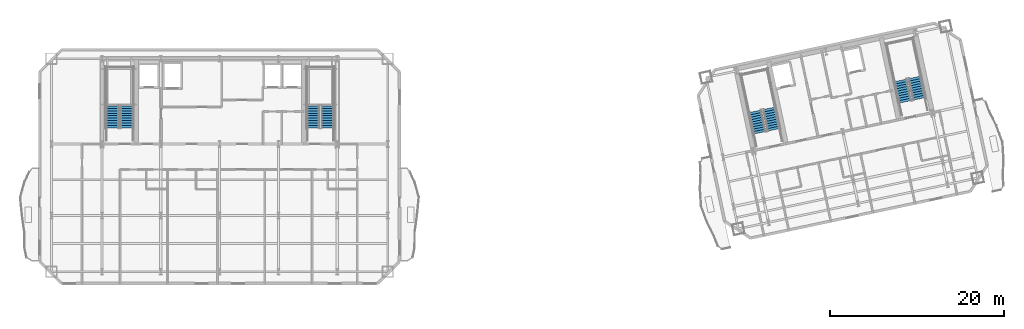
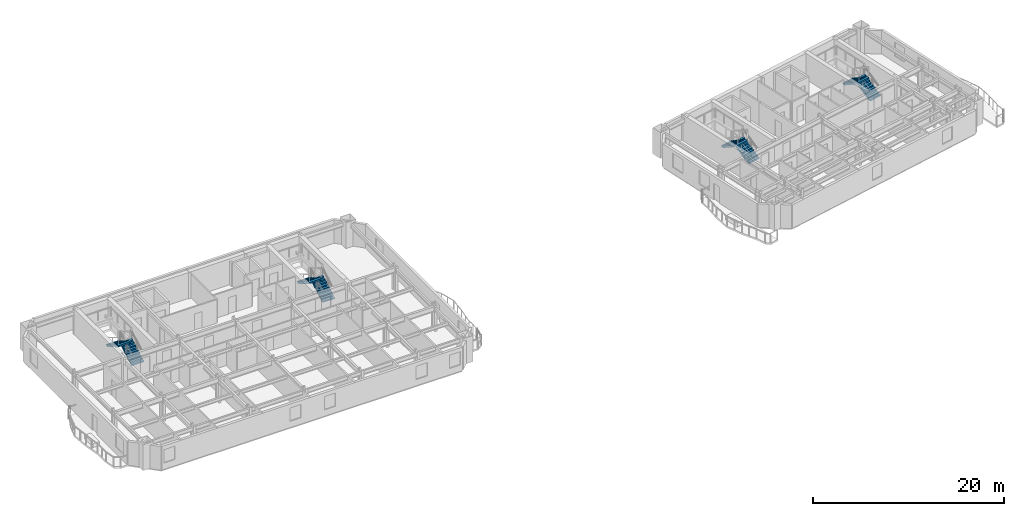
# One storey, part 9 of 13: 8 stair flights, 4 elements without a shape of their own.
"""IFC4 building model written with IfcOpenShell, lengths in metres."""

from ifc_helpers import new_model, si_unit, direction, frame, origin, place, context, subcontext, project, spatial, polyline, outline, extrude, material, type_object, element, aggregate, save


model = new_model("IFC4")

# Units and contexts
model_context = context("Model", 3, precision=1e-05, world=origin(), true_north=direction((0.0, 1.0)))
body_context = subcontext(model_context, "Body", "Model", "MODEL_VIEW")
ifc_project = project(units=[si_unit("LENGTHUNIT", "METRE"), si_unit("AREAUNIT", "SQUARE_METRE"), si_unit("VOLUMEUNIT", "CUBIC_METRE"), si_unit("PLANEANGLEUNIT", "RADIAN"), si_unit("MASSUNIT", "GRAM", prefix="KILO")], contexts=[model_context])

# Site, building, storey
site_placement = place(None, origin())
site = spatial("IfcSite", under=ifc_project, at=site_placement, CompositionType="ELEMENT")
building_placement = place(site_placement, origin())
building = spatial("IfcBuilding", under=site, at=building_placement, Name="Haevon Station Towers", CompositionType="ELEMENT")
storey_placement = place(building_placement, frame((0.0, 0.0, 189.0)))
storey = spatial("IfcBuildingStorey", under=building, at=storey_placement, Name="L52", CompositionType="ELEMENT", Elevation=189.0)

# Stair, stair flights
ifc_material = material(Name="Concrete C40/50", Category="concrete")
stair_type = type_object("IfcStairType", Name="STR-DL1450", PredefinedType="USERDEFINED", material=ifc_material)
stair_1_placement = place(storey_placement, origin())
stair_1 = element("IfcStair", 1, at=stair_1_placement, inside=storey, type_object=stair_type, Name="L52 Escape Stair ST1", ObjectType="TWO_RETURN_STAIR", PredefinedType="USERDEFINED")
stair_flight_type = type_object("IfcStairFlightType", Name="STF-ST1450", PredefinedType="STRAIGHT", material=ifc_material)
stair_flight_1_placement = place(storey_placement, frame((26.85498046875, 40.050048828125, 0.0), z_axis=(0.0, 0.0, 1.0), x_axis=(0.0, 1.0, 0.0)))
stair_flight_1 = element("IfcStairFlight", 2, at=stair_flight_1_placement, type_object=stair_flight_type, Name="L52 ST1 Flight 1", NumberOfRisers=10, NumberOfTreads=9, PredefinedType="STRAIGHT", RiserHeight=0.165, TreadLength=0.28, context=body_context, shape_type="SweptSolid", body=[
    extrude(outline(polyline([(0.0, 0.0), (0.0, 0.1650390625), (0.280029296875, 0.1650390625), (0.280029296875, 0.330078125), (0.56005859375, 0.330078125), (0.56005859375, 0.4951171875), (0.840087890625, 0.4951171875), (0.840087890625, 0.659912109375), (1.1201171875, 0.659912109375), (1.1201171875, 0.824951171875), (1.39990234375, 0.824951171875), (1.39990234375, 0.989990234375), (1.679931640625, 0.989990234375), (1.679931640625, 1.155029296875), (1.9599609375, 1.155029296875), (1.9599609375, 1.320068359375), (2.239990234375, 1.320068359375), (2.239990234375, 1.485107421875), (2.52001953125, 1.485107421875), (2.52001953125, 1.64990234375), (2.52001953125, 1.29931640625), (0.31494140625, 0.0), (0.0, 0.0)])), frame((0.0, 0.72509765625, 0.0), z_axis=(0.0, -1.0, 0.0), x_axis=(1.0, 0.0, 0.0)), (0.0, 0.0, 1.0), 1.449951171875),
])
stair_flight_2_placement = place(storey_placement, frame((25.205078125, 42.570068359375, 1.64990234375), z_axis=(0.0, 0.0, 1.0), x_axis=(0.0, -1.0, 0.0)))
stair_flight_2 = element("IfcStairFlight", 3, at=stair_flight_2_placement, type_object=stair_flight_type, Name="L52 ST1 Flight 2", NumberOfRisers=10, NumberOfTreads=9, PredefinedType="STRAIGHT", RiserHeight=0.165, TreadLength=0.28, context=body_context, shape_type="SweptSolid", body=[
    extrude(outline(polyline([(0.0, 0.0), (0.0, 0.1650390625), (0.280029296875, 0.1650390625), (0.280029296875, 0.330078125), (0.56005859375, 0.330078125), (0.56005859375, 0.4951171875), (0.840087890625, 0.4951171875), (0.840087890625, 0.659912109375), (1.1201171875, 0.659912109375), (1.1201171875, 0.824951171875), (1.39990234375, 0.824951171875), (1.39990234375, 0.989990234375), (1.679931640625, 0.989990234375), (1.679931640625, 1.155029296875), (1.9599609375, 1.155029296875), (1.9599609375, 1.320068359375), (2.239990234375, 1.320068359375), (2.239990234375, 1.485107421875), (2.52001953125, 1.485107421875), (2.52001953125, 1.64990234375), (2.52001953125, 1.29931640625), (0.31494140625, 0.0), (0.0, 0.0)])), frame((0.0, 0.72509765625, 0.0), z_axis=(0.0, -1.0, 0.0), x_axis=(1.0, 0.0, 0.0)), (0.0, 0.0, 1.0), 1.449951171875),
])
aggregate(stair_1, [stair_flight_1, stair_flight_2])

stair_2_placement = place(storey_placement, origin())
stair_2 = element("IfcStair", 4, at=stair_2_placement, inside=storey, type_object=stair_type, Name="L52 Escape Stair ST2", ObjectType="TWO_RETURN_STAIR", PredefinedType="USERDEFINED")
stair_flight_3_placement = place(storey_placement, frame((49.89501953125, 40.050048828125, 0.0), z_axis=(0.0, 0.0, 1.0), x_axis=(0.0, 1.0, 0.0)))
stair_flight_3 = element("IfcStairFlight", 5, at=stair_flight_3_placement, type_object=stair_flight_type, Name="L52 ST2 Flight 1", NumberOfRisers=10, NumberOfTreads=9, PredefinedType="STRAIGHT", RiserHeight=0.165, TreadLength=0.28, context=body_context, shape_type="SweptSolid", body=[
    extrude(outline(polyline([(0.0, 0.0), (0.0, 0.1650390625), (0.280029296875, 0.1650390625), (0.280029296875, 0.330078125), (0.56005859375, 0.330078125), (0.56005859375, 0.4951171875), (0.840087890625, 0.4951171875), (0.840087890625, 0.659912109375), (1.1201171875, 0.659912109375), (1.1201171875, 0.824951171875), (1.39990234375, 0.824951171875), (1.39990234375, 0.989990234375), (1.679931640625, 0.989990234375), (1.679931640625, 1.155029296875), (1.9599609375, 1.155029296875), (1.9599609375, 1.320068359375), (2.239990234375, 1.320068359375), (2.239990234375, 1.485107421875), (2.52001953125, 1.485107421875), (2.52001953125, 1.64990234375), (2.52001953125, 1.29931640625), (0.31494140625, 0.0), (0.0, 0.0)])), frame((0.0, 0.72509765625, 0.0), z_axis=(0.0, -1.0, 0.0), x_axis=(1.0, 0.0, 0.0)), (0.0, 0.0, 1.0), 1.449951171875),
])
stair_flight_4_placement = place(storey_placement, frame((48.2451171875, 42.570068359375, 1.64990234375), z_axis=(0.0, 0.0, 1.0), x_axis=(0.0, -1.0, 0.0)))
stair_flight_4 = element("IfcStairFlight", 6, at=stair_flight_4_placement, type_object=stair_flight_type, Name="L52 ST2 Flight 2", NumberOfRisers=10, NumberOfTreads=9, PredefinedType="STRAIGHT", RiserHeight=0.165, TreadLength=0.28, context=body_context, shape_type="SweptSolid", body=[
    extrude(outline(polyline([(0.0, 0.0), (0.0, 0.1650390625), (0.280029296875, 0.1650390625), (0.280029296875, 0.330078125), (0.56005859375, 0.330078125), (0.56005859375, 0.4951171875), (0.840087890625, 0.4951171875), (0.840087890625, 0.659912109375), (1.1201171875, 0.659912109375), (1.1201171875, 0.824951171875), (1.39990234375, 0.824951171875), (1.39990234375, 0.989990234375), (1.679931640625, 0.989990234375), (1.679931640625, 1.155029296875), (1.9599609375, 1.155029296875), (1.9599609375, 1.320068359375), (2.239990234375, 1.320068359375), (2.239990234375, 1.485107421875), (2.52001953125, 1.485107421875), (2.52001953125, 1.64990234375), (2.52001953125, 1.29931640625), (0.31494140625, 0.0), (0.0, 0.0)])), frame((0.0, 0.72509765625, 0.0), z_axis=(0.0, -1.0, 0.0), x_axis=(1.0, 0.0, 0.0)), (0.0, 0.0, 1.0), 1.449951171875),
])
aggregate(stair_2, [stair_flight_3, stair_flight_4])

stair_3_placement = place(storey_placement, origin())
stair_3 = element("IfcStair", 7, at=stair_3_placement, inside=storey, type_object=stair_type, Name="L52 Escape Stair ST3", ObjectType="TWO_RETURN_STAIR", PredefinedType="USERDEFINED")
stair_flight_5_placement = place(storey_placement, frame((101.1015625, 39.8330078125, 0.0), z_axis=(0.0, 0.0, 1.0), x_axis=(-0.207911690818, 0.978147600734, 0.0)))
stair_flight_5 = element("IfcStairFlight", 8, at=stair_flight_5_placement, type_object=stair_flight_type, Name="L52 ST3 Flight 1", NumberOfRisers=10, NumberOfTreads=9, PredefinedType="STRAIGHT", RiserHeight=0.165, TreadLength=0.28, context=body_context, shape_type="SweptSolid", body=[
    extrude(outline(polyline([(0.0, 0.0), (0.0, 0.1650390625), (0.280029296875, 0.1650390625), (0.280029296875, 0.330078125), (0.56005859375, 0.330078125), (0.56005859375, 0.4951171875), (0.840087890625, 0.4951171875), (0.840087890625, 0.659912109375), (1.1201171875, 0.659912109375), (1.1201171875, 0.824951171875), (1.39990234375, 0.824951171875), (1.39990234375, 0.989990234375), (1.679931640625, 0.989990234375), (1.679931640625, 1.155029296875), (1.9599609375, 1.155029296875), (1.9599609375, 1.320068359375), (2.239990234375, 1.320068359375), (2.239990234375, 1.485107421875), (2.52001953125, 1.485107421875), (2.52001953125, 1.64990234375), (2.52001953125, 1.29931640625), (0.31494140625, 0.0), (0.0, 0.0)])), frame((0.0, 0.72509765625, 0.0), z_axis=(0.0, -1.0, 0.0), x_axis=(1.0, 0.0, 0.0)), (0.0, 0.0, 1.0), 1.449951171875),
])
stair_flight_6_placement = place(storey_placement, frame((98.9638671875, 41.955078125, 1.64990234375), z_axis=(0.0, 0.0, 1.0), x_axis=(0.207911690818, -0.978147600734, 0.0)))
stair_flight_6 = element("IfcStairFlight", 9, at=stair_flight_6_placement, type_object=stair_flight_type, Name="L52 ST3 Flight 2", NumberOfRisers=10, NumberOfTreads=9, PredefinedType="STRAIGHT", RiserHeight=0.165, TreadLength=0.28, context=body_context, shape_type="SweptSolid", body=[
    extrude(outline(polyline([(0.0, 0.0), (0.0, 0.1650390625), (0.280029296875, 0.1650390625), (0.280029296875, 0.330078125), (0.56005859375, 0.330078125), (0.56005859375, 0.4951171875), (0.840087890625, 0.4951171875), (0.840087890625, 0.659912109375), (1.1201171875, 0.659912109375), (1.1201171875, 0.824951171875), (1.39990234375, 0.824951171875), (1.39990234375, 0.989990234375), (1.679931640625, 0.989990234375), (1.679931640625, 1.155029296875), (1.9599609375, 1.155029296875), (1.9599609375, 1.320068359375), (2.239990234375, 1.320068359375), (2.239990234375, 1.485107421875), (2.52001953125, 1.485107421875), (2.52001953125, 1.64990234375), (2.52001953125, 1.29931640625), (0.31494140625, 0.0), (0.0, 0.0)])), frame((0.0, 0.72509765625, 0.0), z_axis=(0.0, -1.0, 0.0), x_axis=(1.0, 0.0, 0.0)), (0.0, 0.0, 1.0), 1.449951171875),
])
aggregate(stair_3, [stair_flight_5, stair_flight_6])

stair_4_placement = place(storey_placement, origin())
stair_4 = element("IfcStair", 10, at=stair_4_placement, inside=storey, type_object=stair_type, Name="L52 Escape Stair ST4", ObjectType="TWO_RETURN_STAIR", PredefinedType="USERDEFINED")
stair_flight_7_placement = place(storey_placement, frame((117.788818359375, 43.380126953125, 0.0), z_axis=(0.0, 0.0, 1.0), x_axis=(-0.207911690818, 0.978147600734, 0.0)))
stair_flight_7 = element("IfcStairFlight", 11, at=stair_flight_7_placement, type_object=stair_flight_type, Name="L52 ST4 Flight 1", NumberOfRisers=10, NumberOfTreads=9, PredefinedType="STRAIGHT", RiserHeight=0.165, TreadLength=0.28, context=body_context, shape_type="SweptSolid", body=[
    extrude(outline(polyline([(0.0, 0.0), (0.0, 0.1650390625), (0.280029296875, 0.1650390625), (0.280029296875, 0.330078125), (0.56005859375, 0.330078125), (0.56005859375, 0.4951171875), (0.840087890625, 0.4951171875), (0.840087890625, 0.659912109375), (1.1201171875, 0.659912109375), (1.1201171875, 0.824951171875), (1.39990234375, 0.824951171875), (1.39990234375, 0.989990234375), (1.679931640625, 0.989990234375), (1.679931640625, 1.155029296875), (1.9599609375, 1.155029296875), (1.9599609375, 1.320068359375), (2.239990234375, 1.320068359375), (2.239990234375, 1.485107421875), (2.52001953125, 1.485107421875), (2.52001953125, 1.64990234375), (2.52001953125, 1.29931640625), (0.31494140625, 0.0), (0.0, 0.0)])), frame((0.0, 0.72509765625, 0.0), z_axis=(0.0, -1.0, 0.0), x_axis=(1.0, 0.0, 0.0)), (0.0, 0.0, 1.0), 1.449951171875),
])
stair_flight_8_placement = place(storey_placement, frame((115.65087890625, 45.501953125, 1.64990234375), z_axis=(0.0, 0.0, 1.0), x_axis=(0.207911690818, -0.978147600734, 0.0)))
stair_flight_8 = element("IfcStairFlight", 12, at=stair_flight_8_placement, type_object=stair_flight_type, Name="L52 ST4 Flight 2", NumberOfRisers=10, NumberOfTreads=9, PredefinedType="STRAIGHT", RiserHeight=0.165, TreadLength=0.28, context=body_context, shape_type="SweptSolid", body=[
    extrude(outline(polyline([(0.0, 0.0), (0.0, 0.1650390625), (0.280029296875, 0.1650390625), (0.280029296875, 0.330078125), (0.56005859375, 0.330078125), (0.56005859375, 0.4951171875), (0.840087890625, 0.4951171875), (0.840087890625, 0.659912109375), (1.1201171875, 0.659912109375), (1.1201171875, 0.824951171875), (1.39990234375, 0.824951171875), (1.39990234375, 0.989990234375), (1.679931640625, 0.989990234375), (1.679931640625, 1.155029296875), (1.9599609375, 1.155029296875), (1.9599609375, 1.320068359375), (2.239990234375, 1.320068359375), (2.239990234375, 1.485107421875), (2.52001953125, 1.485107421875), (2.52001953125, 1.64990234375), (2.52001953125, 1.29931640625), (0.31494140625, 0.0), (0.0, 0.0)])), frame((0.0, 0.72509765625, 0.0), z_axis=(0.0, -1.0, 0.0), x_axis=(1.0, 0.0, 0.0)), (0.0, 0.0, 1.0), 1.449951171875),
])
aggregate(stair_4, [stair_flight_7, stair_flight_8])

save(model, "model.ifc")
